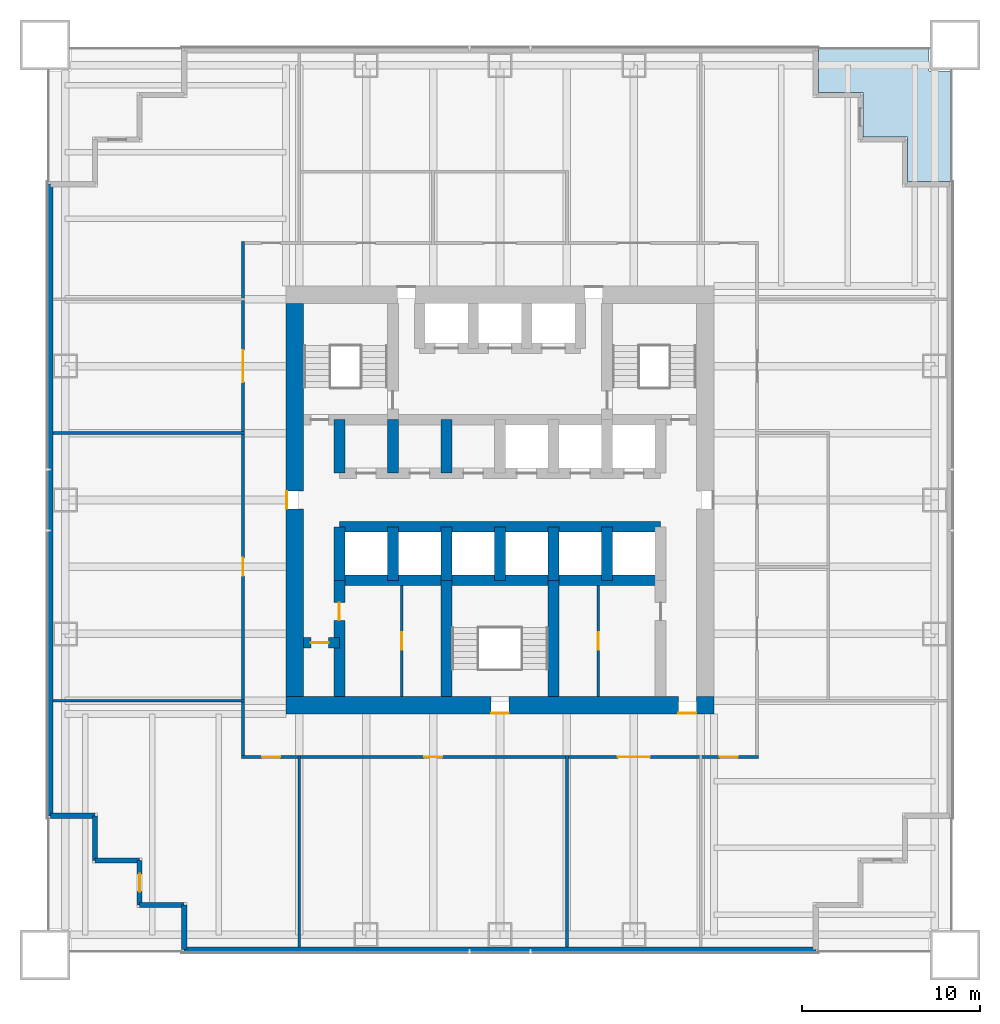
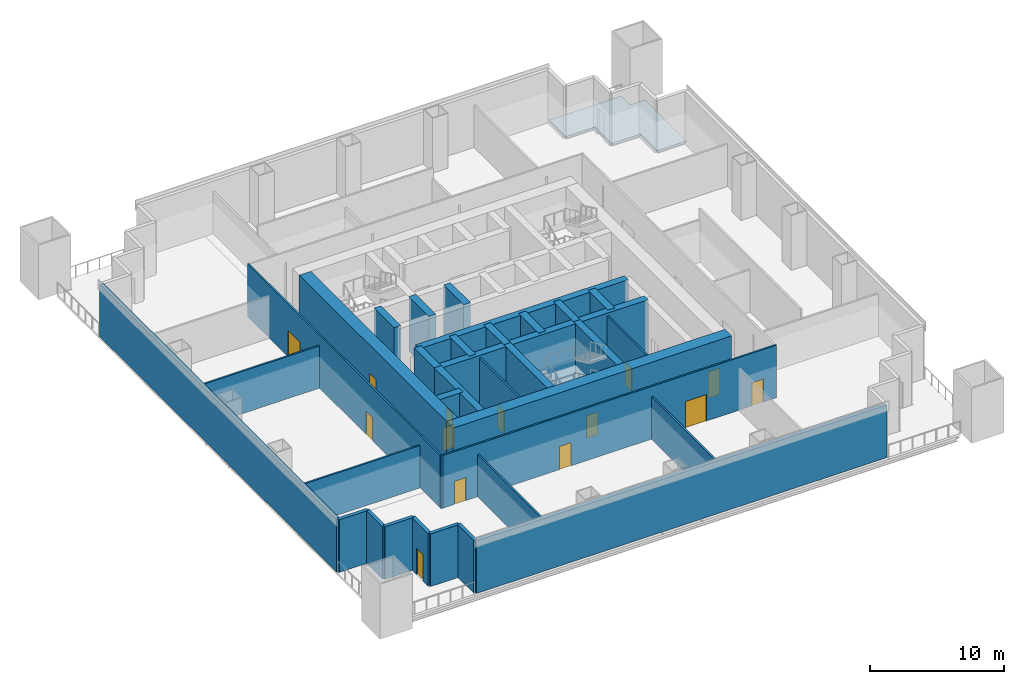
# One storey, part 2 of 7: 33 walls, 14 doors, 1 slab, 14 openings.
"""IFC4 building model written with IfcOpenShell, lengths in metres."""

from ifc_helpers import new_model, si_unit, direction, frame, frame_2d, origin, place, context, subcontext, project, spatial, polyline, rectangle, outline, extrude, material, layer, layer_set, type_object, element, fill, save


model = new_model("IFC4")

# Units and contexts
model_context = context("Model", 3, precision=1e-05, world=origin(), true_north=direction((0.0, 1.0)))
body_context = subcontext(model_context, "Body", "Model", "MODEL_VIEW")
ifc_project = project(units=[si_unit("LENGTHUNIT", "METRE"), si_unit("AREAUNIT", "SQUARE_METRE"), si_unit("VOLUMEUNIT", "CUBIC_METRE"), si_unit("PLANEANGLEUNIT", "RADIAN"), si_unit("MASSUNIT", "GRAM", prefix="KILO")], contexts=[model_context])

# Site, building, storey
site_placement = place(None, origin())
site = spatial("IfcSite", under=ifc_project, at=site_placement, CompositionType="ELEMENT")
building_placement = place(site_placement, origin())
building = spatial("IfcBuilding", under=site, at=building_placement, Name="Tarangal Relay Tower", CompositionType="ELEMENT")
storey_placement = place(building_placement, frame((0.0, 0.0, 43.39990234375)))
storey = spatial("IfcBuildingStorey", under=building, at=storey_placement, Name="L08", CompositionType="ELEMENT", Elevation=43.39990234375)

# Slab
ifc_material_1 = material(Name="Concrete fc' 35 MPa", Category="concrete")
ifc_layer_1 = layer(ifc_material_1, 0.199951171875)
ifc_layer_set_1 = layer_set([ifc_layer_1], Name="Terrace slab 200")
slab_type = type_object("IfcSlabType", Name="Terrace slab 200", PredefinedType="FLOOR", material=ifc_layer_set_1)
slab_placement = place(storey_placement, frame((0.0, 0.0, -0.199951171875)))
element("IfcSlab", 1, at=slab_placement, inside=storey, type_object=slab_type, Name="Corner terrace NE L08", PredefinedType="FLOOR", context=body_context, shape_type="SweptSolid", body=[
    extrude(outline(polyline([(17.85009765625, 25.35009765625), (17.85009765625, 22.85009765625), (20.35009765625, 22.85009765625), (20.35009765625, 20.35009765625), (22.85009765625, 20.35009765625), (22.85009765625, 17.85009765625), (25.35009765625, 17.85009765625), (25.35009765625, 24.050048828125), (24.050048828125, 24.050048828125), (24.050048828125, 25.35009765625), (17.85009765625, 25.35009765625)])), origin(), (0.0, 0.0, 1.0), 0.199951171875),
])

# Walls
ifc_material_2 = material(Name="Concrete fc' 60 MPa", Category="concrete")
ifc_layer_2 = layer(ifc_material_2, 0.60009765625)
ifc_layer_set_2 = layer_set([ifc_layer_2], Name="Core inner wall 600")
wall_type_1 = type_object("IfcWallType", Name="Core inner wall 600", PredefinedType="SHEAR", material=ifc_layer_set_2)
for number, where, z_axis, x_axis, name in (
    (2, (-9.0, -1.5, 0.0), (0.0, 0.0, 1.0), (1.0, 0.0, 0.0), "Core wall YM15 L08"),
    (3, (-9.0, -4.5, 0.0), (0.0, 0.0, 1.0), (1.0, 0.0, 0.0), "Core wall YM45 L08"),
):
    element("IfcWall", number, at=place(storey_placement, frame(where, z_axis=z_axis, x_axis=x_axis)), inside=storey, type_object=wall_type_1, Name=name, PredefinedType="SHEAR", context=body_context, shape_type="SweptSolid", body=[
        extrude(rectangle(XDim=18.0, YDim=0.60009765625, at=frame_2d((9.0, 0.0))), origin(), (0.0, 0.0, 1.0), 5.0),
    ])

# Wall, opening, door
wall_1_placement = place(storey_placement, frame((-11.0, -8.0, 0.0), z_axis=(0.0, 0.0, 1.0), x_axis=(1.0, 0.0, 0.0)))
wall_1 = element("IfcWall", 4, at=wall_1_placement, inside=storey, type_object=wall_type_1, Name="Core wall YM8 L08", PredefinedType="SHEAR", context=body_context, shape_type="SweptSolid", body=[
    extrude(rectangle(XDim=2.0, YDim=0.60009765625, at=frame_2d((1.0, 0.0))), origin(), (0.0, 0.0, 1.0), 5.0),
])
opening_1_placement = place(wall_1_placement, frame((0.39990234375, 0.0, 0.0)))
opening_1 = element("IfcOpeningElement", 5, at=opening_1_placement, cuts=wall_1, Name="Opening D1", PredefinedType="OPENING", context=body_context, shape_type="SweptSolid", body=[
    extrude(rectangle(XDim=1.0, YDim=2.10009765625, at=frame_2d((0.5, 1.050048828125))), frame((0.0, 0.31005859375, 0.0), z_axis=(0.0, -1.0, 0.0), x_axis=(1.0, 0.0, 0.0)), (0.0, 0.0, 1.0), 0.6201171875),
])
ifc_material_3 = material(Name="Hardwood door", Category="wood")
door_type_1 = type_object("IfcDoorType", Name="WC door 1000 x 2100", OperationType="SINGLE_SWING_LEFT", PredefinedType="DOOR", material=ifc_material_3)
door_1_placement = place(opening_1_placement, origin())
door_1 = element("IfcDoor", 6, at=door_1_placement, inside=storey, type_object=door_type_1, Name="Accessible WC door L08", OperationType="SINGLE_SWING_LEFT", OverallHeight=2.10009765625, OverallWidth=1.0, PredefinedType="DOOR", context=body_context, shape_type="SweptSolid", body=[
    extrude(rectangle(XDim=1.0, YDim=2.10009765625, at=frame_2d((0.5, 1.050048828125))), frame((0.0, 0.02490234375, 0.0), z_axis=(0.0, -1.0, 0.0), x_axis=(1.0, 0.0, 0.0)), (0.0, 0.0, 1.0), 0.050048828125),
])
fill(opening_1, door_1)

# Walls
for number, where, z_axis, x_axis, name in (
    (7, (-9.0, 1.5, 0.0), (0.0, 0.0, 1.0), (0.0, 1.0, 0.0), "Core wall XM9N L08"),
    (8, (-9.0, -4.5, 0.0), (0.0, 0.0, 1.0), (0.0, 1.0, 0.0), "Core wall XM9S L08"),
    (9, (-6.0, 1.5, 0.0), (0.0, 0.0, 1.0), (0.0, 1.0, 0.0), "Core wall XM6N L08"),
    (10, (-3.0, 1.5, 0.0), (0.0, 0.0, 1.0), (0.0, 1.0, 0.0), "Core wall XM3N L08"),
    (11, (-6.0, -4.5, 0.0), (0.0, 0.0, 1.0), (0.0, 1.0, 0.0), "Core wall XM6S L08"),
    (12, (-3.0, -4.5, 0.0), (0.0, 0.0, 1.0), (0.0, 1.0, 0.0), "Core wall XM3S L08"),
    (13, (0.0, -4.5, 0.0), (0.0, 0.0, 1.0), (0.0, 1.0, 0.0), "Core wall X0S L08"),
    (14, (3.0, -4.5, 0.0), (0.0, 0.0, 1.0), (0.0, 1.0, 0.0), "Core wall X3S L08"),
    (15, (6.0, -4.5, 0.0), (0.0, 0.0, 1.0), (0.0, 1.0, 0.0), "Core wall X6S L08"),
):
    element("IfcWall", number, at=place(storey_placement, frame(where, z_axis=z_axis, x_axis=x_axis)), inside=storey, type_object=wall_type_1, Name=name, PredefinedType="SHEAR", context=body_context, shape_type="SweptSolid", body=[
        extrude(rectangle(XDim=3.0, YDim=0.60009765625, at=frame_2d((1.5, 0.0))), origin(), (0.0, 0.0, 1.0), 5.0),
    ])

# Wall, opening, door
wall_2_placement = place(storey_placement, frame((-9.0, -11.0, 0.0), z_axis=(0.0, 0.0, 1.0), x_axis=(0.0, 1.0, 0.0)))
wall_2 = element("IfcWall", 16, at=wall_2_placement, inside=storey, type_object=wall_type_1, Name="Core wall XM9W L08", PredefinedType="SHEAR", context=body_context, shape_type="SweptSolid", body=[
    extrude(rectangle(XDim=6.5, YDim=0.60009765625, at=frame_2d((3.25, 0.0))), origin(), (0.0, 0.0, 1.0), 5.0),
])
opening_2_placement = place(wall_2_placement, frame((4.25, 0.0, 0.0)))
opening_2 = element("IfcOpeningElement", 17, at=opening_2_placement, cuts=wall_2, Name="Opening D1", PredefinedType="OPENING", context=body_context, shape_type="SweptSolid", body=[
    extrude(rectangle(XDim=1.0, YDim=2.10009765625, at=frame_2d((0.5, 1.050048828125))), frame((0.0, 0.31005859375, 0.0), z_axis=(0.0, -1.0, 0.0), x_axis=(1.0, 0.0, 0.0)), (0.0, 0.0, 1.0), 0.6201171875),
])
door_2_placement = place(opening_2_placement, origin())
door_2 = element("IfcDoor", 18, at=door_2_placement, inside=storey, type_object=door_type_1, Name="Male WC door L08", OperationType="SINGLE_SWING_LEFT", OverallHeight=2.10009765625, OverallWidth=1.0, PredefinedType="DOOR", context=body_context, shape_type="SweptSolid", body=[
    extrude(rectangle(XDim=1.0, YDim=2.10009765625, at=frame_2d((0.5, 1.050048828125))), frame((0.0, 0.02490234375, 0.0), z_axis=(0.0, -1.0, 0.0), x_axis=(1.0, 0.0, 0.0)), (0.0, 0.0, 1.0), 0.050048828125),
])
fill(opening_2, door_2)

# Walls
for number, where, z_axis, x_axis, name in (
    (19, (-3.0, -11.0, 0.0), (0.0, 0.0, 1.0), (0.0, 1.0, 0.0), "Core wall XM3W L08"),
    (20, (3.0, -11.0, 0.0), (0.0, 0.0, 1.0), (0.0, 1.0, 0.0), "Core wall X3W L08"),
):
    element("IfcWall", number, at=place(storey_placement, frame(where, z_axis=z_axis, x_axis=x_axis)), inside=storey, type_object=wall_type_1, Name=name, PredefinedType="SHEAR", context=body_context, shape_type="SweptSolid", body=[
        extrude(rectangle(XDim=6.5, YDim=0.60009765625, at=frame_2d((3.25, 0.0))), origin(), (0.0, 0.0, 1.0), 5.0),
    ])

# Wall, openings, doors
ifc_layer_3 = layer(ifc_material_2, 1.0)
ifc_layer_set_3 = layer_set([ifc_layer_3], Name="Core wall 1000")
wall_type_2 = type_object("IfcWallType", Name="Core wall 1000", PredefinedType="SHEAR", material=ifc_layer_set_3)
wall_3_placement = place(storey_placement, frame((12.0, -11.5, 0.0), z_axis=(0.0, 0.0, 1.0), x_axis=(-1.0, 0.0, 0.0)))
wall_3 = element("IfcWall", 21, at=wall_3_placement, inside=storey, type_object=wall_type_2, Name="Core wall S L08", PredefinedType="SHEAR", context=body_context, shape_type="SweptSolid", body=[
    extrude(rectangle(XDim=24.0, YDim=1.0, at=frame_2d((12.0, 0.0))), origin(), (0.0, 0.0, 1.0), 5.0),
])
opening_3_placement = place(wall_3_placement, frame((11.5, 0.0, 0.0)))
opening_3 = element("IfcOpeningElement", 22, at=opening_3_placement, cuts=wall_3, Name="Opening FD1", PredefinedType="OPENING", context=body_context, shape_type="SweptSolid", body=[
    extrude(rectangle(XDim=1.0, YDim=2.10009765625, at=frame_2d((0.5, 1.050048828125))), frame((0.0, 0.510009765625, 0.0), z_axis=(0.0, -1.0, 0.0), x_axis=(1.0, 0.0, 0.0)), (0.0, 0.0, 1.0), 1.02001953125),
])
opening_4_placement = place(wall_3_placement, frame((1.0, 0.0, 0.0)))
opening_4 = element("IfcOpeningElement", 23, at=opening_4_placement, cuts=wall_3, Name="Opening FD3", PredefinedType="OPENING", context=body_context, shape_type="SweptSolid", body=[
    extrude(rectangle(XDim=1.0, YDim=2.39990234375, at=frame_2d((0.5, 1.199951171875))), frame((0.0, 0.510009765625, 0.0), z_axis=(0.0, -1.0, 0.0), x_axis=(1.0, 0.0, 0.0)), (0.0, 0.0, 1.0), 1.02001953125),
])
ifc_material_4 = material(Name="Steel door with hardwood frame", Category="steel")
door_type_2 = type_object("IfcDoorType", Name="Fire door 1000 x 2100", OperationType="SINGLE_SWING_LEFT", PredefinedType="DOOR", material=ifc_material_4)
door_3_placement = place(opening_3_placement, origin())
door_3 = element("IfcDoor", 24, at=door_3_placement, inside=storey, type_object=door_type_2, Name="Stair ST-C door L08", OperationType="SINGLE_SWING_LEFT", OverallHeight=2.10009765625, OverallWidth=1.0, PredefinedType="DOOR", context=body_context, shape_type="SweptSolid", body=[
    extrude(rectangle(XDim=1.0, YDim=2.10009765625, at=frame_2d((0.5, 1.050048828125))), frame((0.0, 0.48486328125, 0.0), z_axis=(0.0, -1.0, 0.0), x_axis=(1.0, 0.0, 0.0)), (0.0, 0.0, 1.0), 0.050048828125),
])
fill(opening_3, door_3)
door_type_3 = type_object("IfcDoorType", Name="Fire door 1000 x 2400 core entry", OperationType="SINGLE_SWING_RIGHT", PredefinedType="DOOR", material=ifc_material_4)
door_4_placement = place(opening_4_placement, origin())
door_4 = element("IfcDoor", 25, at=door_4_placement, inside=storey, type_object=door_type_3, Name="Core entry door south east L08", OperationType="SINGLE_SWING_RIGHT", OverallHeight=2.39990234375, OverallWidth=1.0, PredefinedType="DOOR", context=body_context, shape_type="SweptSolid", body=[
    extrude(rectangle(XDim=1.0, YDim=2.39990234375, at=frame_2d((0.5, 1.199951171875))), frame((0.0, 0.48486328125, 0.0), z_axis=(0.0, -1.0, 0.0), x_axis=(1.0, 0.0, 0.0)), (0.0, 0.0, 1.0), 0.050048828125),
])
fill(opening_4, door_4)

# Wall, opening, door
wall_4_placement = place(storey_placement, frame((-11.5, -11.0, 0.0), z_axis=(0.0, 0.0, 1.0), x_axis=(0.0, 1.0, 0.0)))
wall_4 = element("IfcWall", 26, at=wall_4_placement, inside=storey, type_object=wall_type_2, Name="Core wall W L08", PredefinedType="SHEAR", context=body_context, shape_type="SweptSolid", body=[
    extrude(rectangle(XDim=22.0, YDim=1.0, at=frame_2d((11.0, 0.0))), origin(), (0.0, 0.0, 1.0), 5.0),
])
opening_5_placement = place(wall_4_placement, frame((10.5, 0.0, 0.0)))
opening_5 = element("IfcOpeningElement", 27, at=opening_5_placement, cuts=wall_4, Name="Opening FD3", PredefinedType="OPENING", context=body_context, shape_type="SweptSolid", body=[
    extrude(rectangle(XDim=1.0, YDim=2.39990234375, at=frame_2d((0.5, 1.199951171875))), frame((0.0, 0.510009765625, 0.0), z_axis=(0.0, -1.0, 0.0), x_axis=(1.0, 0.0, 0.0)), (0.0, 0.0, 1.0), 1.02001953125),
])
door_5_placement = place(opening_5_placement, origin())
door_5 = element("IfcDoor", 28, at=door_5_placement, inside=storey, type_object=door_type_3, Name="Core entry door west L08", OperationType="SINGLE_SWING_RIGHT", OverallHeight=2.39990234375, OverallWidth=1.0, PredefinedType="DOOR", context=body_context, shape_type="SweptSolid", body=[
    extrude(rectangle(XDim=1.0, YDim=2.39990234375, at=frame_2d((0.5, 1.199951171875))), frame((0.0, 0.48486328125, 0.0), z_axis=(0.0, -1.0, 0.0), x_axis=(1.0, 0.0, 0.0)), (0.0, 0.0, 1.0), 0.050048828125),
])
fill(opening_5, door_5)

# Walls
ifc_material_5 = material(Name="Insulated precast concrete fc' 40 MPa", Category="concrete")
ifc_layer_4 = layer(ifc_material_5, 0.300048828125)
ifc_layer_set_4 = layer_set([ifc_layer_4], Name="Insulated precast concrete fc' 40 MPa")
wall_type_3 = type_object("IfcWallType", Name="Facade wall precast 300", PredefinedType="SOLIDWALL", material=ifc_layer_set_4)
wall_5_placement = place(storey_placement, frame((17.699951171875, -25.199951171875, 0.0), z_axis=(0.0, 0.0, 1.0), x_axis=(-1.0, 0.0, 0.0)))
element("IfcWall", 29, at=wall_5_placement, inside=storey, type_object=wall_type_3, Name="Facade wall S facade L08", PredefinedType="SOLIDWALL", context=body_context, shape_type="SweptSolid", body=[
    extrude(rectangle(XDim=35.39990234375, YDim=0.300048828125, at=frame_2d((17.699951171875, 0.0))), origin(), (0.0, 0.0, 1.0), 4.800048828125),
])
for number, where, z_axis, x_axis, name in (
    (30, (-17.699951171875, -25.199951171875, 0.0), (0.0, 0.0, 1.0), (0.0, 1.0, 0.0), "Facade wall S facade L08"),
    (31, (-17.699951171875, -22.699951171875, 0.0), (0.0, 0.0, 1.0), (-1.0, 0.0, 0.0), "Facade wall S facade L08"),
):
    element("IfcWall", number, at=place(storey_placement, frame(where, z_axis=z_axis, x_axis=x_axis)), inside=storey, type_object=wall_type_3, Name=name, PredefinedType="SOLIDWALL", context=body_context, shape_type="SweptSolid", body=[
        extrude(rectangle(XDim=2.5, YDim=0.300048828125, at=frame_2d((1.25, 0.0))), origin(), (0.0, 0.0, 1.0), 4.800048828125),
    ])

# Wall, opening, door
wall_6_placement = place(storey_placement, frame((-20.199951171875, -22.699951171875, 0.0), z_axis=(0.0, 0.0, 1.0), x_axis=(0.0, 1.0, 0.0)))
wall_6 = element("IfcWall", 32, at=wall_6_placement, inside=storey, type_object=wall_type_3, Name="Facade wall S facade L08", PredefinedType="SOLIDWALL", context=body_context, shape_type="SweptSolid", body=[
    extrude(rectangle(XDim=2.5, YDim=0.300048828125, at=frame_2d((1.25, 0.0))), origin(), (0.0, 0.0, 1.0), 4.800048828125),
])
opening_6_placement = place(wall_6_placement, frame((0.75, 0.0, 0.0)))
opening_6 = element("IfcOpeningElement", 33, at=opening_6_placement, cuts=wall_6, Name="Opening TD1", PredefinedType="OPENING", context=body_context, shape_type="SweptSolid", body=[
    extrude(rectangle(XDim=1.0, YDim=2.39990234375, at=frame_2d((0.5, 1.199951171875))), frame((0.0, 0.159912109375, 0.0), z_axis=(0.0, -1.0, 0.0), x_axis=(1.0, 0.0, 0.0)), (0.0, 0.0, 1.0), 0.320068359375),
])
ifc_material_6 = material(Name="Aluminium glazed door", Category="aluminium")
door_type_4 = type_object("IfcDoorType", Name="Terrace door 1000 x 2400", OperationType="SINGLE_SWING_RIGHT", PredefinedType="DOOR", material=ifc_material_6)
door_6_placement = place(opening_6_placement, origin())
door_6 = element("IfcDoor", 34, at=door_6_placement, inside=storey, type_object=door_type_4, Name="Terrace door TD1 SW L08", OperationType="SINGLE_SWING_RIGHT", OverallHeight=2.39990234375, OverallWidth=1.0, PredefinedType="DOOR", context=body_context, shape_type="SweptSolid", body=[
    extrude(rectangle(XDim=1.0, YDim=2.39990234375, at=frame_2d((0.5, 1.199951171875))), frame((0.0, 0.02490234375, 0.0), z_axis=(0.0, -1.0, 0.0), x_axis=(1.0, 0.0, 0.0)), (0.0, 0.0, 1.0), 0.050048828125),
])
fill(opening_6, door_6)

# Walls
for number, where, z_axis, x_axis, name in (
    (35, (-20.199951171875, -20.199951171875, 0.0), (0.0, 0.0, 1.0), (-1.0, 0.0, 0.0), "Facade wall S facade L08"),
    (36, (-22.699951171875, -20.199951171875, 0.0), (0.0, 0.0, 1.0), (0.0, 1.0, 0.0), "Facade wall S facade L08"),
    (37, (-22.699951171875, -17.699951171875, 0.0), (0.0, 0.0, 1.0), (-1.0, 0.0, 0.0), "Facade wall S facade L08"),
):
    element("IfcWall", number, at=place(storey_placement, frame(where, z_axis=z_axis, x_axis=x_axis)), inside=storey, type_object=wall_type_3, Name=name, PredefinedType="SOLIDWALL", context=body_context, shape_type="SweptSolid", body=[
        extrude(rectangle(XDim=2.5, YDim=0.300048828125, at=frame_2d((1.25, 0.0))), origin(), (0.0, 0.0, 1.0), 4.800048828125),
    ])
wall_7_placement = place(storey_placement, frame((-25.199951171875, -17.699951171875, 0.0), z_axis=(0.0, 0.0, 1.0), x_axis=(0.0, 1.0, 0.0)))
element("IfcWall", 38, at=wall_7_placement, inside=storey, type_object=wall_type_3, Name="Facade wall W facade L08", PredefinedType="SOLIDWALL", context=body_context, shape_type="SweptSolid", body=[
    extrude(rectangle(XDim=35.39990234375, YDim=0.300048828125, at=frame_2d((17.699951171875, 0.0))), origin(), (0.0, 0.0, 1.0), 4.800048828125),
])

# Wall, openings, doors
ifc_material_7 = material(Name="Gypsum board on steel studs", Category="steel")
ifc_layer_5 = layer(ifc_material_7, 0.14990234375)
ifc_layer_set_5 = layer_set([ifc_layer_5], Name="Partition 150")
wall_type_4 = type_object("IfcWallType", Name="Partition 150", PredefinedType="PARTITIONING", material=ifc_layer_set_5)
wall_8_placement = place(storey_placement, frame((-14.47509765625, -14.39990234375, 0.0), z_axis=(0.0, 0.0, 1.0), x_axis=(1.0, 0.0, 0.0)))
wall_8 = element("IfcWall", 39, at=wall_8_placement, inside=storey, type_object=wall_type_4, Name="Partition PT1 L08", PredefinedType="PARTITIONING", context=body_context, shape_type="SweptSolid", body=[
    extrude(rectangle(XDim=28.9501953125, YDim=0.14990234375, at=frame_2d((14.47509765625, 0.0))), origin(), (0.0, 0.0, 1.0), 4.800048828125),
])
opening_7_placement = place(wall_8_placement, frame((21.074951171875, 0.0, 0.0)))
opening_7 = element("IfcOpeningElement", 40, at=opening_7_placement, cuts=wall_8, Name="Opening DD1", PredefinedType="OPENING", context=body_context, shape_type="SweptSolid", body=[
    extrude(rectangle(XDim=1.800048828125, YDim=2.39990234375, at=frame_2d((0.89990234375, 1.199951171875))), frame((0.0, 0.0849609375, 0.0), z_axis=(0.0, -1.0, 0.0), x_axis=(1.0, 0.0, 0.0)), (0.0, 0.0, 1.0), 0.169921875),
])
opening_8_placement = place(wall_8_placement, frame((10.22509765625, 0.0, 0.0)))
opening_8 = element("IfcOpeningElement", 41, at=opening_8_placement, cuts=wall_8, Name="Opening D2", PredefinedType="OPENING", context=body_context, shape_type="SweptSolid", body=[
    extrude(rectangle(XDim=1.0, YDim=2.10009765625, at=frame_2d((0.5, 1.050048828125))), frame((0.0, 0.0849609375, 0.0), z_axis=(0.0, -1.0, 0.0), x_axis=(1.0, 0.0, 0.0)), (0.0, 0.0, 1.0), 0.169921875),
])
opening_9_placement = place(wall_8_placement, frame((26.800048828125, 0.0, 0.0)))
opening_9 = element("IfcOpeningElement", 42, at=opening_9_placement, cuts=wall_8, Name="Opening D2", PredefinedType="OPENING", context=body_context, shape_type="SweptSolid", body=[
    extrude(rectangle(XDim=1.0, YDim=2.10009765625, at=frame_2d((0.5, 1.050048828125))), frame((0.0, 0.0849609375, 0.0), z_axis=(0.0, -1.0, 0.0), x_axis=(1.0, 0.0, 0.0)), (0.0, 0.0, 1.0), 0.169921875),
])
opening_10_placement = place(wall_8_placement, frame((1.14990234375, 0.0, 0.0)))
opening_10 = element("IfcOpeningElement", 43, at=opening_10_placement, cuts=wall_8, Name="Opening D2", PredefinedType="OPENING", context=body_context, shape_type="SweptSolid", body=[
    extrude(rectangle(XDim=1.0, YDim=2.10009765625, at=frame_2d((0.5, 1.050048828125))), frame((0.0, 0.0849609375, 0.0), z_axis=(0.0, -1.0, 0.0), x_axis=(1.0, 0.0, 0.0)), (0.0, 0.0, 1.0), 0.169921875),
])
door_type_5 = type_object("IfcDoorType", Name="Door 1000 x 2100", OperationType="SINGLE_SWING_LEFT", PredefinedType="DOOR", material=ifc_material_3)
door_7_placement = place(opening_8_placement, origin())
door_7 = element("IfcDoor", 44, at=door_7_placement, inside=storey, type_object=door_type_5, Name="Door D2 to rack build and test room L08-09", OperationType="SINGLE_SWING_LEFT", OverallHeight=2.10009765625, OverallWidth=1.0, PredefinedType="DOOR", context=body_context, shape_type="SweptSolid", body=[
    extrude(rectangle(XDim=1.0, YDim=2.10009765625, at=frame_2d((0.5, 1.050048828125))), frame((0.0, 0.02490234375, 0.0), z_axis=(0.0, -1.0, 0.0), x_axis=(1.0, 0.0, 0.0)), (0.0, 0.0, 1.0), 0.050048828125),
])
fill(opening_8, door_7)
door_8_placement = place(opening_9_placement, origin())
door_8 = element("IfcDoor", 45, at=door_8_placement, inside=storey, type_object=door_type_5, Name="Door D2 to maintenance workshop L08-13", OperationType="SINGLE_SWING_LEFT", OverallHeight=2.10009765625, OverallWidth=1.0, PredefinedType="DOOR", context=body_context, shape_type="SweptSolid", body=[
    extrude(rectangle(XDim=1.0, YDim=2.10009765625, at=frame_2d((0.5, 1.050048828125))), frame((0.0, 0.02490234375, 0.0), z_axis=(0.0, -1.0, 0.0), x_axis=(1.0, 0.0, 0.0)), (0.0, 0.0, 1.0), 0.050048828125),
])
fill(opening_9, door_8)
door_9_placement = place(opening_10_placement, origin())
door_9 = element("IfcDoor", 46, at=door_9_placement, inside=storey, type_object=door_type_5, Name="Door D2 to security office L08-14", OperationType="SINGLE_SWING_LEFT", OverallHeight=2.10009765625, OverallWidth=1.0, PredefinedType="DOOR", context=body_context, shape_type="SweptSolid", body=[
    extrude(rectangle(XDim=1.0, YDim=2.10009765625, at=frame_2d((0.5, 1.050048828125))), frame((0.0, 0.02490234375, 0.0), z_axis=(0.0, -1.0, 0.0), x_axis=(1.0, 0.0, 0.0)), (0.0, 0.0, 1.0), 0.050048828125),
])
fill(opening_10, door_9)
door_type_6 = type_object("IfcDoorType", Name="Equipment double door 1800 x 2400", OperationType="DOUBLE_DOOR_SINGLE_SWING", PredefinedType="DOOR", material=ifc_material_4)
door_10_placement = place(opening_7_placement, origin())
door_10 = element("IfcDoor", 47, at=door_10_placement, inside=storey, type_object=door_type_6, Name="Door DD1 to electrical room L08-08", OperationType="DOUBLE_DOOR_SINGLE_SWING", OverallHeight=2.39990234375, OverallWidth=1.800048828125, PredefinedType="DOOR", context=body_context, shape_type="SweptSolid", body=[
    extrude(rectangle(XDim=1.800048828125, YDim=2.39990234375, at=frame_2d((0.89990234375, 1.199951171875))), frame((0.0, 0.02490234375, 0.0), z_axis=(0.0, -1.0, 0.0), x_axis=(1.0, 0.0, 0.0)), (0.0, 0.0, 1.0), 0.050048828125),
])
fill(opening_7, door_10)

# Walls
for number, where, z_axis, x_axis, name in (
    (48, (-25.050048828125, -11.25, 0.0), (0.0, 0.0, 1.0), (1.0, 0.0, 0.0), "Partition PT1 L08"),
    (49, (-25.050048828125, 3.75, 0.0), (0.0, 0.0, 1.0), (1.0, 0.0, 0.0), "Partition PT1 L08"),
):
    element("IfcWall", number, at=place(storey_placement, frame(where, z_axis=z_axis, x_axis=x_axis)), inside=storey, type_object=wall_type_4, Name=name, PredefinedType="PARTITIONING", context=body_context, shape_type="SweptSolid", body=[
        extrude(rectangle(XDim=10.72509765625, YDim=0.14990234375, at=frame_2d((5.362548828125, 0.0))), origin(), (0.0, 0.0, 1.0), 3.852783203125),
    ])

# Wall, openings, doors
wall_9_placement = place(storey_placement, frame((-14.39990234375, -14.47509765625, 0.0), z_axis=(0.0, 0.0, 1.0), x_axis=(0.0, 1.0, 0.0)))
wall_9 = element("IfcWall", 50, at=wall_9_placement, inside=storey, type_object=wall_type_4, Name="Partition PT1 L08", PredefinedType="PARTITIONING", context=body_context, shape_type="SweptSolid", body=[
    extrude(rectangle(XDim=28.9501953125, YDim=0.14990234375, at=frame_2d((14.47509765625, 0.0))), origin(), (0.0, 0.0, 1.0), 4.800048828125),
])
opening_11_placement = place(wall_9_placement, frame((10.22509765625, 0.0, 0.0)))
opening_11 = element("IfcOpeningElement", 51, at=opening_11_placement, cuts=wall_9, Name="Opening D2", PredefinedType="OPENING", context=body_context, shape_type="SweptSolid", body=[
    extrude(rectangle(XDim=1.0, YDim=2.10009765625, at=frame_2d((0.5, 1.050048828125))), frame((0.0, 0.0849609375, 0.0), z_axis=(0.0, -1.0, 0.0), x_axis=(1.0, 0.0, 0.0)), (0.0, 0.0, 1.0), 0.169921875),
])
opening_12_placement = place(wall_9_placement, frame((21.074951171875, 0.0, 0.0)))
opening_12 = element("IfcOpeningElement", 52, at=opening_12_placement, cuts=wall_9, Name="Opening DD1", PredefinedType="OPENING", context=body_context, shape_type="SweptSolid", body=[
    extrude(rectangle(XDim=1.800048828125, YDim=2.39990234375, at=frame_2d((0.89990234375, 1.199951171875))), frame((0.0, 0.0849609375, 0.0), z_axis=(0.0, -1.0, 0.0), x_axis=(1.0, 0.0, 0.0)), (0.0, 0.0, 1.0), 0.169921875),
])
door_11_placement = place(opening_11_placement, origin())
door_11 = element("IfcDoor", 53, at=door_11_placement, inside=storey, type_object=door_type_5, Name="Door D2 to tape library room L08-10", OperationType="SINGLE_SWING_LEFT", OverallHeight=2.10009765625, OverallWidth=1.0, PredefinedType="DOOR", context=body_context, shape_type="SweptSolid", body=[
    extrude(rectangle(XDim=1.0, YDim=2.10009765625, at=frame_2d((0.5, 1.050048828125))), frame((0.0, 0.02490234375, 0.0), z_axis=(0.0, -1.0, 0.0), x_axis=(1.0, 0.0, 0.0)), (0.0, 0.0, 1.0), 0.050048828125),
])
fill(opening_11, door_11)
door_12_placement = place(opening_12_placement, origin())
door_12 = element("IfcDoor", 54, at=door_12_placement, inside=storey, type_object=door_type_6, Name="Door DD1 to gas suppression cylinder room L08-11", OperationType="DOUBLE_DOOR_SINGLE_SWING", OverallHeight=2.39990234375, OverallWidth=1.800048828125, PredefinedType="DOOR", context=body_context, shape_type="SweptSolid", body=[
    extrude(rectangle(XDim=1.800048828125, YDim=2.39990234375, at=frame_2d((0.89990234375, 1.199951171875))), frame((0.0, 0.02490234375, 0.0), z_axis=(0.0, -1.0, 0.0), x_axis=(1.0, 0.0, 0.0)), (0.0, 0.0, 1.0), 0.050048828125),
])
fill(opening_12, door_12)

# Walls
for number, where, z_axis, x_axis, name in (
    (55, (-11.25, -25.050048828125, 0.0), (0.0, 0.0, 1.0), (0.0, 1.0, 0.0), "Partition PT1 L08"),
    (56, (3.75, -25.050048828125, 0.0), (0.0, 0.0, 1.0), (0.0, 1.0, 0.0), "Partition PT1 L08"),
):
    element("IfcWall", number, at=place(storey_placement, frame(where, z_axis=z_axis, x_axis=x_axis)), inside=storey, type_object=wall_type_4, Name=name, PredefinedType="PARTITIONING", context=body_context, shape_type="SweptSolid", body=[
        extrude(rectangle(XDim=10.72509765625, YDim=0.14990234375, at=frame_2d((5.362548828125, 0.0))), origin(), (0.0, 0.0, 1.0), 3.852783203125),
    ])

# Wall, opening, door
wall_10_placement = place(storey_placement, frame((-5.5, -11.0, 0.0), z_axis=(0.0, 0.0, 1.0), x_axis=(0.0, 1.0, 0.0)))
wall_10 = element("IfcWall", 57, at=wall_10_placement, inside=storey, type_object=wall_type_4, Name="Partition PT1 L08", PredefinedType="PARTITIONING", context=body_context, shape_type="SweptSolid", body=[
    extrude(rectangle(XDim=6.199951171875, YDim=0.14990234375, at=frame_2d((3.10009765625, 0.0))), origin(), (0.0, 0.0, 1.0), 4.75),
])
opening_13_placement = place(wall_10_placement, frame((2.60009765625, 0.0, 0.0)))
opening_13 = element("IfcOpeningElement", 58, at=opening_13_placement, cuts=wall_10, Name="Opening D1", PredefinedType="OPENING", context=body_context, shape_type="SweptSolid", body=[
    extrude(rectangle(XDim=1.0, YDim=2.10009765625, at=frame_2d((0.5, 1.050048828125))), frame((0.0, 0.0849609375, 0.0), z_axis=(0.0, -1.0, 0.0), x_axis=(1.0, 0.0, 0.0)), (0.0, 0.0, 1.0), 0.169921875),
])
door_13_placement = place(opening_13_placement, origin())
door_13 = element("IfcDoor", 59, at=door_13_placement, inside=storey, type_object=door_type_1, Name="Door D1 to male shower and changing room L08-C7B", OperationType="SINGLE_SWING_LEFT", OverallHeight=2.10009765625, OverallWidth=1.0, PredefinedType="DOOR", context=body_context, shape_type="SweptSolid", body=[
    extrude(rectangle(XDim=1.0, YDim=2.10009765625, at=frame_2d((0.5, 1.050048828125))), frame((0.0, 0.02490234375, 0.0), z_axis=(0.0, -1.0, 0.0), x_axis=(1.0, 0.0, 0.0)), (0.0, 0.0, 1.0), 0.050048828125),
])
fill(opening_13, door_13)

wall_11_placement = place(storey_placement, frame((5.5, -11.0, 0.0), z_axis=(0.0, 0.0, 1.0), x_axis=(0.0, 1.0, 0.0)))
wall_11 = element("IfcWall", 60, at=wall_11_placement, inside=storey, type_object=wall_type_4, Name="Partition PT1 L08", PredefinedType="PARTITIONING", context=body_context, shape_type="SweptSolid", body=[
    extrude(rectangle(XDim=6.199951171875, YDim=0.14990234375, at=frame_2d((3.10009765625, 0.0))), origin(), (0.0, 0.0, 1.0), 4.75),
])
opening_14_placement = place(wall_11_placement, frame((2.60009765625, 0.0, 0.0)))
opening_14 = element("IfcOpeningElement", 61, at=opening_14_placement, cuts=wall_11, Name="Opening D1", PredefinedType="OPENING", context=body_context, shape_type="SweptSolid", body=[
    extrude(rectangle(XDim=1.0, YDim=2.10009765625, at=frame_2d((0.5, 1.050048828125))), frame((0.0, 0.0849609375, 0.0), z_axis=(0.0, -1.0, 0.0), x_axis=(1.0, 0.0, 0.0)), (0.0, 0.0, 1.0), 0.169921875),
])
door_14_placement = place(opening_14_placement, origin())
door_14 = element("IfcDoor", 62, at=door_14_placement, inside=storey, type_object=door_type_1, Name="Door D1 to female shower and changing room L08-C10B", OperationType="SINGLE_SWING_LEFT", OverallHeight=2.10009765625, OverallWidth=1.0, PredefinedType="DOOR", context=body_context, shape_type="SweptSolid", body=[
    extrude(rectangle(XDim=1.0, YDim=2.10009765625, at=frame_2d((0.5, 1.050048828125))), frame((0.0, 0.02490234375, 0.0), z_axis=(0.0, -1.0, 0.0), x_axis=(1.0, 0.0, 0.0)), (0.0, 0.0, 1.0), 0.050048828125),
])
fill(opening_14, door_14)

save(model, "model.ifc")
